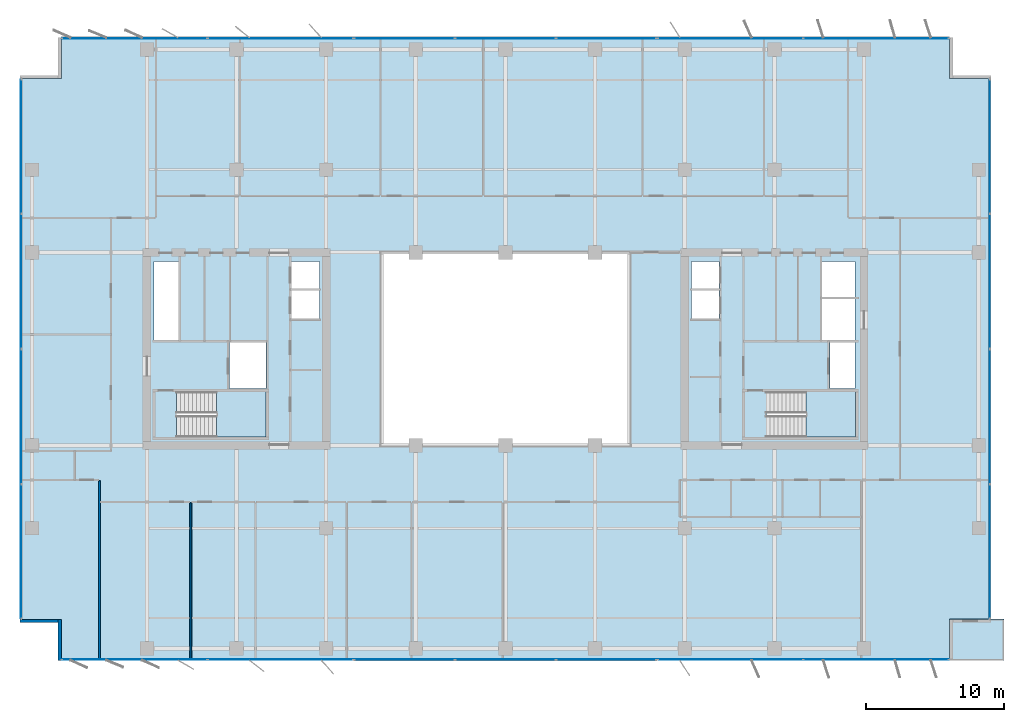
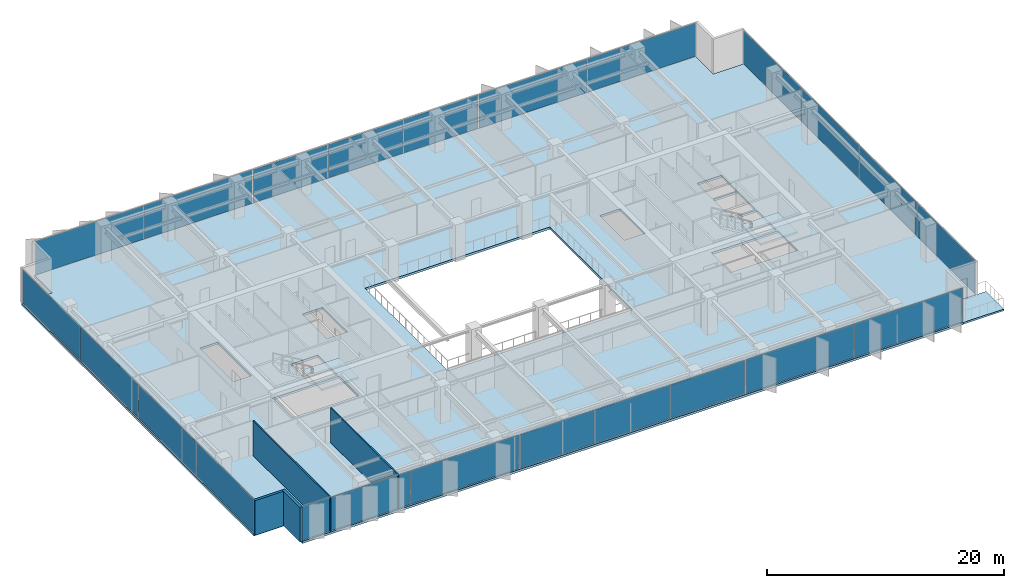
# One storey, part 14 of 22: 22 plates, 4 slabs, 4 walls, 10 elements without a shape of their own.
"""IFC4 building model written with IfcOpenShell, lengths in metres."""

from ifc_helpers import new_model, si_unit, direction, frame, frame_2d, origin, origin_2d, place, context, subcontext, project, spatial, polyline, rectangle, outline, extrude, material, layer, layer_set, type_object, element, aggregate, save


model = new_model("IFC4")

# Units and contexts
model_context = context("Model", 3, precision=1e-05, world=origin(), true_north=direction((0.0, 1.0)))
body_context = subcontext(model_context, "Body", "Model", "MODEL_VIEW")
ifc_project = project(units=[si_unit("LENGTHUNIT", "METRE"), si_unit("AREAUNIT", "SQUARE_METRE"), si_unit("VOLUMEUNIT", "CUBIC_METRE"), si_unit("PLANEANGLEUNIT", "RADIAN"), si_unit("MASSUNIT", "GRAM", prefix="KILO")], contexts=[model_context])

# Site, building, storey
site_placement = place(None, origin())
site = spatial("IfcSite", under=ifc_project, at=site_placement, CompositionType="ELEMENT")
building_placement = place(site_placement, origin())
building = spatial("IfcBuilding", under=site, at=building_placement, Name="Putna Gate Headquarters", CompositionType="ELEMENT")
storey_placement = place(building_placement, frame((0.0, 0.0, 182.199951171875)))
storey = spatial("IfcBuildingStorey", under=building, at=storey_placement, Name="L45", CompositionType="ELEMENT", Elevation=182.199951171875)

# Stair, slab
ifc_material_1 = material(Name="Concrete C40/50", Category="concrete")
stair_type_1 = type_object("IfcStairType", Name="STAIR-ST1", PredefinedType="HALF_TURN_STAIR", material=ifc_material_1)
stair_1_placement = place(storey_placement, origin())
stair_1 = element("IfcStair", 1, at=stair_1_placement, inside=storey, type_object=stair_type_1, Name="L45 West Core Exit Stair ST1", PredefinedType="HALF_TURN_STAIR")
ifc_layer_1 = layer(ifc_material_1, 0.199951171875)
ifc_layer_set_1 = layer_set([ifc_layer_1], Name="Concrete C40/50")
slab_type_1 = type_object("IfcSlabType", Name="LANDING-ST1", PredefinedType="LANDING", material=ifc_layer_set_1)
slab_1_placement = place(storey_placement, frame((0.0, 0.0, 1.699951171875)))
slab_1 = element("IfcSlab", 2, at=slab_1_placement, type_object=slab_type_1, Name="ST1 landing 1", PredefinedType="LANDING", context=body_context, shape_type="SweptSolid", body=[
    extrude(outline(polyline([(18.050048828125, 19.60009765625), (21.64990234375, 19.60009765625), (21.64990234375, 22.89990234375), (18.050048828125, 22.89990234375), (18.050048828125, 19.60009765625)])), origin(), (0.0, 0.0, 1.0), 0.2001953125),
])
aggregate(stair_1, [slab_1])

stair_type_2 = type_object("IfcStairType", Name="STAIR-ST2", PredefinedType="HALF_TURN_STAIR", material=ifc_material_1)
stair_2_placement = place(storey_placement, origin())
stair_2 = element("IfcStair", 3, at=stair_2_placement, inside=storey, type_object=stair_type_2, Name="L45 East Core Exit Stair ST2", PredefinedType="HALF_TURN_STAIR")
ifc_layer_2 = layer(ifc_material_1, 0.199951171875)
ifc_layer_set_2 = layer_set([ifc_layer_2], Name="Concrete C40/50")
slab_type_2 = type_object("IfcSlabType", Name="LANDING-ST2", PredefinedType="LANDING", material=ifc_layer_set_2)
slab_2_placement = place(storey_placement, frame((0.0, 0.0, 1.699951171875)))
slab_2 = element("IfcSlab", 4, at=slab_2_placement, type_object=slab_type_2, Name="ST2 landing 1", PredefinedType="LANDING", context=body_context, shape_type="SweptSolid", body=[
    extrude(outline(polyline([(60.800048828125, 19.60009765625), (64.39990234375, 19.60009765625), (64.39990234375, 22.89990234375), (60.800048828125, 22.89990234375), (60.800048828125, 19.60009765625)])), origin(), (0.0, 0.0, 1.0), 0.2001953125),
])
aggregate(stair_2, [slab_2])

# Curtain wall, plates
ifc_material_2 = material(Name="Anodised bronze aluminium curtain wall", Category="aluminium")
ifc_layer_3 = layer(ifc_material_2, 0.159912109375)
ifc_layer_set_3 = layer_set([ifc_layer_3], Name="Anodised bronze aluminium curtain wall")
curtain_wall_type_1 = type_object("IfcCurtainWallType", Name="CW-SYS-Z3", PredefinedType="USERDEFINED", material=ifc_layer_set_3)
curtain_wall_1_placement = place(storey_placement, origin())
curtain_wall_1 = element("IfcCurtainWall", 5, at=curtain_wall_1_placement, inside=storey, type_object=curtain_wall_type_1, Name="L45 South West Curtain Wall", ObjectType="STICK CURTAIN WALL", PredefinedType="USERDEFINED")
ifc_material_3 = material(Name="Solar-control triple low-E glass", Category="glass")
ifc_layer_4 = layer(ifc_material_3, 0.028076171875)
ifc_layer_set_4 = layer_set([ifc_layer_4], Name="Solar-control triple low-E glass")
plate_type_1 = type_object("IfcPlateType", Name="PAN-CWP-3", PredefinedType="CURTAIN_PANEL", material=ifc_layer_set_4)
plate_1_placement = place(storey_placement, frame((12.1162109375, 3.47998046875, 0.06005859375), z_axis=(0.0, 0.0, 1.0), x_axis=(1.0, 0.0, 0.0)))
plate_1 = element("IfcPlate", 6, at=plate_1_placement, type_object=plate_type_1, Name="CWS-3 panel 1.1", PredefinedType="CURTAIN_PANEL", context=body_context, shape_type="SweptSolid", body=[
    extrude(rectangle(XDim=10.50244140625, YDim=0.028076171875, at=origin_2d()), origin(), (0.0, 0.0, 1.0), 3.451904296875),
])
plate_2_placement = place(storey_placement, frame((22.683837890625, 3.47998046875, 0.06005859375), z_axis=(0.0, 0.0, 1.0), x_axis=(1.0, 0.0, 0.0)))
plate_2 = element("IfcPlate", 7, at=plate_2_placement, type_object=plate_type_1, Name="CWS-3 panel 2.1", PredefinedType="CURTAIN_PANEL", context=body_context, shape_type="SweptSolid", body=[
    extrude(rectangle(XDim=10.50244140625, YDim=0.028076171875, at=origin_2d()), origin(), (0.0, 0.0, 1.0), 3.451904296875),
])
aggregate(curtain_wall_1, [plate_1, plate_2])

curtain_wall_2_placement = place(storey_placement, origin())
curtain_wall_2 = element("IfcCurtainWall", 8, at=curtain_wall_2_placement, inside=storey, type_object=curtain_wall_type_1, Name="L45 South East Curtain Wall", ObjectType="STICK CURTAIN WALL", PredefinedType="USERDEFINED")
plate_3_placement = place(storey_placement, frame((55.316162109375, 3.47998046875, 0.06005859375), z_axis=(0.0, 0.0, 1.0), x_axis=(1.0, 0.0, 0.0)))
plate_3 = element("IfcPlate", 9, at=plate_3_placement, type_object=plate_type_1, Name="CWS-3 panel 1.1", PredefinedType="CURTAIN_PANEL", context=body_context, shape_type="SweptSolid", body=[
    extrude(rectangle(XDim=10.50244140625, YDim=0.028076171875, at=origin_2d()), origin(), (0.0, 0.0, 1.0), 3.451904296875),
])
plate_4_placement = place(storey_placement, frame((65.8837890625, 3.47998046875, 0.06005859375), z_axis=(0.0, 0.0, 1.0), x_axis=(1.0, 0.0, 0.0)))
plate_4 = element("IfcPlate", 10, at=plate_4_placement, type_object=plate_type_1, Name="CWS-3 panel 2.1", PredefinedType="CURTAIN_PANEL", context=body_context, shape_type="SweptSolid", body=[
    extrude(rectangle(XDim=10.50244140625, YDim=0.028076171875, at=origin_2d()), origin(), (0.0, 0.0, 1.0), 3.451904296875),
])
aggregate(curtain_wall_2, [plate_3, plate_4])

curtain_wall_3_placement = place(storey_placement, origin())
curtain_wall_3 = element("IfcCurtainWall", 11, at=curtain_wall_3_placement, inside=storey, type_object=curtain_wall_type_1, Name="L45 North West Curtain Wall", ObjectType="STICK CURTAIN WALL", PredefinedType="USERDEFINED")
plate_5_placement = place(storey_placement, frame((12.1162109375, 48.52001953125, 0.06005859375), z_axis=(0.0, 0.0, 1.0), x_axis=(1.0, 0.0, 0.0)))
plate_5 = element("IfcPlate", 12, at=plate_5_placement, type_object=plate_type_1, Name="CWS-3 panel 1.1", PredefinedType="CURTAIN_PANEL", context=body_context, shape_type="SweptSolid", body=[
    extrude(rectangle(XDim=10.50244140625, YDim=0.028076171875, at=origin_2d()), origin(), (0.0, 0.0, 1.0), 3.451904296875),
])
plate_6_placement = place(storey_placement, frame((22.683837890625, 48.52001953125, 0.06005859375), z_axis=(0.0, 0.0, 1.0), x_axis=(1.0, 0.0, 0.0)))
plate_6 = element("IfcPlate", 13, at=plate_6_placement, type_object=plate_type_1, Name="CWS-3 panel 2.1", PredefinedType="CURTAIN_PANEL", context=body_context, shape_type="SweptSolid", body=[
    extrude(rectangle(XDim=10.50244140625, YDim=0.028076171875, at=origin_2d()), origin(), (0.0, 0.0, 1.0), 3.451904296875),
])
aggregate(curtain_wall_3, [plate_5, plate_6])

curtain_wall_4_placement = place(storey_placement, origin())
curtain_wall_4 = element("IfcCurtainWall", 14, at=curtain_wall_4_placement, inside=storey, type_object=curtain_wall_type_1, Name="L45 North East Curtain Wall", ObjectType="STICK CURTAIN WALL", PredefinedType="USERDEFINED")
plate_7_placement = place(storey_placement, frame((55.316162109375, 48.52001953125, 0.06005859375), z_axis=(0.0, 0.0, 1.0), x_axis=(1.0, 0.0, 0.0)))
plate_7 = element("IfcPlate", 15, at=plate_7_placement, type_object=plate_type_1, Name="CWS-3 panel 1.1", PredefinedType="CURTAIN_PANEL", context=body_context, shape_type="SweptSolid", body=[
    extrude(rectangle(XDim=10.50244140625, YDim=0.028076171875, at=origin_2d()), origin(), (0.0, 0.0, 1.0), 3.451904296875),
])
plate_8_placement = place(storey_placement, frame((65.8837890625, 48.52001953125, 0.06005859375), z_axis=(0.0, 0.0, 1.0), x_axis=(1.0, 0.0, 0.0)))
plate_8 = element("IfcPlate", 16, at=plate_8_placement, type_object=plate_type_1, Name="CWS-3 panel 2.1", PredefinedType="CURTAIN_PANEL", context=body_context, shape_type="SweptSolid", body=[
    extrude(rectangle(XDim=10.50244140625, YDim=0.028076171875, at=origin_2d()), origin(), (0.0, 0.0, 1.0), 3.451904296875),
])
aggregate(curtain_wall_4, [plate_7, plate_8])

curtain_wall_5_placement = place(storey_placement, origin())
curtain_wall_5 = element("IfcCurtainWall", 17, at=curtain_wall_5_placement, inside=storey, type_object=curtain_wall_type_1, Name="L45 West Curtain Wall", ObjectType="STICK CURTAIN WALL", PredefinedType="USERDEFINED")
plate_9_placement = place(storey_placement, frame((3.8798828125, 11.316162109375, 0.06005859375), z_axis=(0.0, 0.0, 1.0), x_axis=(0.0, 1.0, 0.0)))
plate_9 = element("IfcPlate", 18, at=plate_9_placement, type_object=plate_type_1, Name="CWS-3 panel 1.1", PredefinedType="CURTAIN_PANEL", context=body_context, shape_type="SweptSolid", body=[
    extrude(rectangle(XDim=9.702392578125, YDim=0.028076171875, at=origin_2d()), origin(), (0.0, 0.0, 1.0), 3.451904296875),
])
plate_10_placement = place(storey_placement, frame((3.8798828125, 21.10009765625, 0.06005859375), z_axis=(0.0, 0.0, 1.0), x_axis=(0.0, 1.0, 0.0)))
plate_10 = element("IfcPlate", 19, at=plate_10_placement, type_object=plate_type_1, Name="CWS-3 panel 2.1", PredefinedType="CURTAIN_PANEL", context=body_context, shape_type="SweptSolid", body=[
    extrude(rectangle(XDim=9.735107421875, YDim=0.028076171875, at=origin_2d()), origin(), (0.0, 0.0, 1.0), 3.451904296875),
])
plate_11_placement = place(storey_placement, frame((3.8798828125, 30.89990234375, 0.06005859375), z_axis=(0.0, 0.0, 1.0), x_axis=(0.0, 1.0, 0.0)))
plate_11 = element("IfcPlate", 20, at=plate_11_placement, type_object=plate_type_1, Name="CWS-3 panel 3.1", PredefinedType="CURTAIN_PANEL", context=body_context, shape_type="SweptSolid", body=[
    extrude(rectangle(XDim=9.735107421875, YDim=0.028076171875, at=origin_2d()), origin(), (0.0, 0.0, 1.0), 3.451904296875),
])
plate_12_placement = place(storey_placement, frame((3.8798828125, 40.683837890625, 0.06005859375), z_axis=(0.0, 0.0, 1.0), x_axis=(0.0, 1.0, 0.0)))
plate_12 = element("IfcPlate", 21, at=plate_12_placement, type_object=plate_type_1, Name="CWS-3 panel 4.1", PredefinedType="CURTAIN_PANEL", context=body_context, shape_type="SweptSolid", body=[
    extrude(rectangle(XDim=9.702392578125, YDim=0.028076171875, at=origin_2d()), origin(), (0.0, 0.0, 1.0), 3.451904296875),
])
aggregate(curtain_wall_5, [plate_9, plate_10, plate_11, plate_12])

curtain_wall_6_placement = place(storey_placement, origin())
curtain_wall_6 = element("IfcCurtainWall", 22, at=curtain_wall_6_placement, inside=storey, type_object=curtain_wall_type_1, Name="L45 East Curtain Wall", ObjectType="STICK CURTAIN WALL", PredefinedType="USERDEFINED")
plate_13_placement = place(storey_placement, frame((74.1201171875, 11.316162109375, 0.06005859375), z_axis=(0.0, 0.0, 1.0), x_axis=(0.0, 1.0, 0.0)))
plate_13 = element("IfcPlate", 23, at=plate_13_placement, type_object=plate_type_1, Name="CWS-3 panel 1.1", PredefinedType="CURTAIN_PANEL", context=body_context, shape_type="SweptSolid", body=[
    extrude(rectangle(XDim=9.702392578125, YDim=0.028076171875, at=origin_2d()), origin(), (0.0, 0.0, 1.0), 3.451904296875),
])
plate_14_placement = place(storey_placement, frame((74.1201171875, 21.10009765625, 0.06005859375), z_axis=(0.0, 0.0, 1.0), x_axis=(0.0, 1.0, 0.0)))
plate_14 = element("IfcPlate", 24, at=plate_14_placement, type_object=plate_type_1, Name="CWS-3 panel 2.1", PredefinedType="CURTAIN_PANEL", context=body_context, shape_type="SweptSolid", body=[
    extrude(rectangle(XDim=9.735107421875, YDim=0.028076171875, at=origin_2d()), origin(), (0.0, 0.0, 1.0), 3.451904296875),
])
plate_15_placement = place(storey_placement, frame((74.1201171875, 30.89990234375, 0.06005859375), z_axis=(0.0, 0.0, 1.0), x_axis=(0.0, 1.0, 0.0)))
plate_15 = element("IfcPlate", 25, at=plate_15_placement, type_object=plate_type_1, Name="CWS-3 panel 3.1", PredefinedType="CURTAIN_PANEL", context=body_context, shape_type="SweptSolid", body=[
    extrude(rectangle(XDim=9.735107421875, YDim=0.028076171875, at=origin_2d()), origin(), (0.0, 0.0, 1.0), 3.451904296875),
])
plate_16_placement = place(storey_placement, frame((74.1201171875, 40.683837890625, 0.06005859375), z_axis=(0.0, 0.0, 1.0), x_axis=(0.0, 1.0, 0.0)))
plate_16 = element("IfcPlate", 26, at=plate_16_placement, type_object=plate_type_1, Name="CWS-3 panel 4.1", PredefinedType="CURTAIN_PANEL", context=body_context, shape_type="SweptSolid", body=[
    extrude(rectangle(XDim=9.702392578125, YDim=0.028076171875, at=origin_2d()), origin(), (0.0, 0.0, 1.0), 3.451904296875),
])
aggregate(curtain_wall_6, [plate_13, plate_14, plate_15, plate_16])

ifc_layer_5 = layer(ifc_material_2, 0.179931640625)
ifc_layer_set_5 = layer_set([ifc_layer_5], Name="Anodised bronze aluminium curtain wall")
curtain_wall_type_2 = type_object("IfcCurtainWallType", Name="CW-SYS-ATR", PredefinedType="USERDEFINED", material=ifc_layer_set_5)
curtain_wall_7_placement = place(storey_placement, origin())
curtain_wall_7 = element("IfcCurtainWall", 27, at=curtain_wall_7_placement, inside=storey, type_object=curtain_wall_type_2, Name="L45 South Atrium Clear Glazing", ObjectType="ATRIUM GLAZING", PredefinedType="USERDEFINED")
ifc_material_4 = material(Name="Clear low-iron triple glazing", Category="glass")
ifc_layer_6 = layer(ifc_material_4, 0.0400390625)
ifc_layer_set_6 = layer_set([ifc_layer_6], Name="Clear low-iron triple glazing")
plate_type_2 = type_object("IfcPlateType", Name="PAN-CWP-AT", PredefinedType="CURTAIN_PANEL", material=ifc_layer_set_6)
plate_17_placement = place(storey_placement, frame((31.68408203125, 3.47998046875, 0.0703125), z_axis=(0.0, 0.0, 1.0), x_axis=(1.0, 0.0, 0.0)))
plate_17 = element("IfcPlate", 28, at=plate_17_placement, type_object=plate_type_2, Name="CWS-AT panel 1.1", PredefinedType="CURTAIN_PANEL", context=body_context, shape_type="SweptSolid", body=[
    extrude(rectangle(XDim=7.228271484375, YDim=0.0400390625, at=origin_2d()), origin(), (0.0, 0.0, 1.0), 3.431884765625),
])
plate_18_placement = place(storey_placement, frame((39.0, 3.47998046875, 0.0703125), z_axis=(0.0, 0.0, 1.0), x_axis=(1.0, 0.0, 0.0)))
plate_18 = element("IfcPlate", 29, at=plate_18_placement, type_object=plate_type_2, Name="CWS-AT panel 2.1", PredefinedType="CURTAIN_PANEL", context=body_context, shape_type="SweptSolid", body=[
    extrude(rectangle(XDim=7.263427734375, YDim=0.0400390625, at=origin_2d()), origin(), (0.0, 0.0, 1.0), 3.431884765625),
])
plate_19_placement = place(storey_placement, frame((46.31591796875, 3.47998046875, 0.0703125), z_axis=(0.0, 0.0, 1.0), x_axis=(1.0, 0.0, 0.0)))
plate_19 = element("IfcPlate", 30, at=plate_19_placement, type_object=plate_type_2, Name="CWS-AT panel 3.1", PredefinedType="CURTAIN_PANEL", context=body_context, shape_type="SweptSolid", body=[
    extrude(rectangle(XDim=7.228271484375, YDim=0.0400390625, at=origin_2d()), origin(), (0.0, 0.0, 1.0), 3.431884765625),
])
aggregate(curtain_wall_7, [plate_17, plate_18, plate_19])

curtain_wall_8_placement = place(storey_placement, origin())
curtain_wall_8 = element("IfcCurtainWall", 31, at=curtain_wall_8_placement, inside=storey, type_object=curtain_wall_type_2, Name="L45 North Atrium Clear Glazing", ObjectType="ATRIUM GLAZING", PredefinedType="USERDEFINED")
plate_20_placement = place(storey_placement, frame((31.68408203125, 48.52001953125, 0.0703125), z_axis=(0.0, 0.0, 1.0), x_axis=(1.0, 0.0, 0.0)))
plate_20 = element("IfcPlate", 32, at=plate_20_placement, type_object=plate_type_2, Name="CWS-AT panel 1.1", PredefinedType="CURTAIN_PANEL", context=body_context, shape_type="SweptSolid", body=[
    extrude(rectangle(XDim=7.228271484375, YDim=0.0400390625, at=origin_2d()), origin(), (0.0, 0.0, 1.0), 3.431884765625),
])
plate_21_placement = place(storey_placement, frame((39.0, 48.52001953125, 0.0703125), z_axis=(0.0, 0.0, 1.0), x_axis=(1.0, 0.0, 0.0)))
plate_21 = element("IfcPlate", 33, at=plate_21_placement, type_object=plate_type_2, Name="CWS-AT panel 2.1", PredefinedType="CURTAIN_PANEL", context=body_context, shape_type="SweptSolid", body=[
    extrude(rectangle(XDim=7.263427734375, YDim=0.0400390625, at=origin_2d()), origin(), (0.0, 0.0, 1.0), 3.431884765625),
])
plate_22_placement = place(storey_placement, frame((46.31591796875, 48.52001953125, 0.0703125), z_axis=(0.0, 0.0, 1.0), x_axis=(1.0, 0.0, 0.0)))
plate_22 = element("IfcPlate", 34, at=plate_22_placement, type_object=plate_type_2, Name="CWS-AT panel 3.1", PredefinedType="CURTAIN_PANEL", context=body_context, shape_type="SweptSolid", body=[
    extrude(rectangle(XDim=7.228271484375, YDim=0.0400390625, at=origin_2d()), origin(), (0.0, 0.0, 1.0), 3.431884765625),
])
aggregate(curtain_wall_8, [plate_20, plate_21, plate_22])

# Slabs
ifc_layer_7 = layer(ifc_material_1, 0.179931640625)
ifc_layer_set_7 = layer_set([ifc_layer_7], Name="Concrete C40/50")
slab_type_3 = type_object("IfcSlabType", Name="SLAB-TERRACE-180", PredefinedType="FLOOR", material=ifc_layer_set_7)
slab_3_placement = place(storey_placement, frame((0.0, 0.0, -0.179931640625)))
element("IfcSlab", 35, at=slab_3_placement, inside=storey, type_object=slab_type_3, Name="L45 Spiral Sky-Garden Terrace Slab (SE)", PredefinedType="FLOOR", context=body_context, shape_type="SweptSolid", body=[
    extrude(outline(polyline([(71.19189453125, 3.39990234375), (75.14990234375, 3.39990234375), (75.14990234375, 6.407958984375), (71.19189453125, 6.407958984375), (71.19189453125, 3.39990234375)])), origin(), (0.0, 0.0, 1.0), 0.179931640625),
])
ifc_layer_8 = layer(ifc_material_1, 0.22802734375)
ifc_layer_set_8 = layer_set([ifc_layer_8], Name="Concrete C40/50")
slab_type_4 = type_object("IfcSlabType", Name="SLAB-Z3-228", PredefinedType="FLOOR", material=ifc_layer_set_8)
slab_4_placement = place(storey_placement, frame((0.0, 0.0, -0.22802734375)))
element("IfcSlab", 36, at=slab_4_placement, inside=storey, type_object=slab_type_4, Name="L45 Composite Floor Slab", PredefinedType="FLOOR", context=body_context, shape_type="SweptSolid", body=[
    extrude(outline(polyline([(6.800048828125, 3.39990234375), (71.199951171875, 3.39990234375), (71.199951171875, 6.39990234375), (74.199951171875, 6.39990234375), (74.199951171875, 45.60009765625), (71.199951171875, 45.60009765625), (71.199951171875, 48.60009765625), (6.800048828125, 48.60009765625), (6.800048828125, 45.60009765625), (3.800048828125, 45.60009765625), (3.800048828125, 6.39990234375), (6.800048828125, 6.39990234375), (6.800048828125, 3.39990234375)]), holes=[polyline([(15.1650390625, 19.60009765625), (21.64990234375, 19.60009765625), (21.64990234375, 22.89990234375), (15.1650390625, 22.89990234375), (15.1650390625, 19.60009765625)]), polyline([(57.9150390625, 19.60009765625), (64.39990234375, 19.60009765625), (64.39990234375, 22.89990234375), (57.9150390625, 22.89990234375), (57.9150390625, 19.60009765625)]), polyline([(13.52001953125, 26.659912109375), (15.280029296875, 26.659912109375), (15.280029296875, 32.35009765625), (13.52001953125, 32.35009765625), (13.52001953125, 26.659912109375)]), polyline([(61.969970703125, 29.780029296875), (64.35009765625, 29.780029296875), (64.35009765625, 32.35009765625), (61.969970703125, 32.35009765625), (61.969970703125, 29.780029296875)]), polyline([(18.97998046875, 23.1201171875), (21.6201171875, 23.1201171875), (21.6201171875, 26.4599609375), (18.97998046875, 26.4599609375), (18.97998046875, 23.1201171875)]), polyline([(62.52001953125, 23.1201171875), (64.35009765625, 23.1201171875), (64.35009765625, 26.4599609375), (62.52001953125, 26.4599609375), (62.52001953125, 23.1201171875)]), polyline([(61.969970703125, 26.659912109375), (64.35009765625, 26.659912109375), (64.35009765625, 29.6201171875), (61.969970703125, 29.6201171875), (61.969970703125, 26.659912109375)]), polyline([(23.5, 28.199951171875), (25.5, 28.199951171875), (25.5, 32.35009765625), (23.5, 32.35009765625), (23.5, 28.199951171875)]), polyline([(52.47998046875, 28.199951171875), (54.5, 28.199951171875), (54.5, 32.35009765625), (52.47998046875, 32.35009765625), (52.47998046875, 28.199951171875)]), polyline([(30.0, 19.0), (48.0, 19.0), (48.0, 33.0), (30.0, 33.0), (30.0, 19.0)])]), origin(), (0.0, 0.0, 1.0), 0.22802734375),
])

# Walls
ifc_material_5 = material(Name="Precast concrete C40/50", Category="concrete")
ifc_layer_9 = layer(ifc_material_5, 0.239990234375)
ifc_layer_set_9 = layer_set([ifc_layer_9], Name="Precast concrete C40/50")
wall_type_1 = type_object("IfcWallType", Name="WALL-EXT-TERR-240", PredefinedType="STANDARD", material=ifc_layer_set_9)
for number, where, z_axis, x_axis, name in (
    (37, (6.679931640625, 3.39990234375, 0.0), (0.0, 0.0, 1.0), (0.0, 1.0, 0.0), "L45 Corner Notch Return Wall SW-V"),
    (38, (6.800048828125, 6.280029296875, 0.0), (0.0, 0.0, 1.0), (-1.0, 0.0, 0.0), "L45 Corner Notch Return Wall SW-H"),
):
    element("IfcWall", number, at=place(storey_placement, frame(where, z_axis=z_axis, x_axis=x_axis)), inside=storey, type_object=wall_type_1, Name=name, PredefinedType="STANDARD", context=body_context, shape_type="SweptSolid", body=[
        extrude(rectangle(XDim=3.0, YDim=0.239990234375, at=frame_2d((1.5, 0.0))), origin(), (0.0, 0.0, 1.0), 3.572021484375),
    ])
ifc_material_6 = material(Name="Acoustic gypsum board on metal stud")
ifc_layer_10 = layer(ifc_material_6, 0.1201171875)
ifc_layer_set_10 = layer_set([ifc_layer_10], Name="Acoustic gypsum board on metal stud")
wall_type_2 = type_object("IfcWallType", Name="WALL-PART-120", PredefinedType="PARTITIONING", material=ifc_layer_set_10)
wall_1_placement = place(storey_placement, frame((9.56494140625, 3.419921875, 0.0), z_axis=(0.0, 0.0, 1.0), x_axis=(0.0, 1.0, 0.0)))
element("IfcWall", 39, at=wall_1_placement, inside=storey, type_object=wall_type_2, Name="L45 Interior Wall PART-L45-SB-DIV-01", PredefinedType="PARTITIONING", context=body_context, shape_type="SweptSolid", body=[
    extrude(rectangle(XDim=13.02001953125, YDim=0.1201171875, at=frame_2d((6.510009765625, 0.0))), origin(), (0.0, 0.0, 1.0), 3.572021484375),
])
wall_2_placement = place(storey_placement, frame((16.18408203125, 3.419921875, 0.0), z_axis=(0.0, 0.0, 1.0), x_axis=(0.0, 1.0, 0.0)))
element("IfcWall", 40, at=wall_2_placement, inside=storey, type_object=wall_type_2, Name="L45 Interior Wall PART-L45-SB-DIV-02", PredefinedType="PARTITIONING", context=body_context, shape_type="SweptSolid", body=[
    extrude(rectangle(XDim=11.420166015625, YDim=0.1201171875, at=frame_2d((5.7099609375, 0.0))), origin(), (0.0, 0.0, 1.0), 3.572021484375),
])

save(model, "model.ifc")
